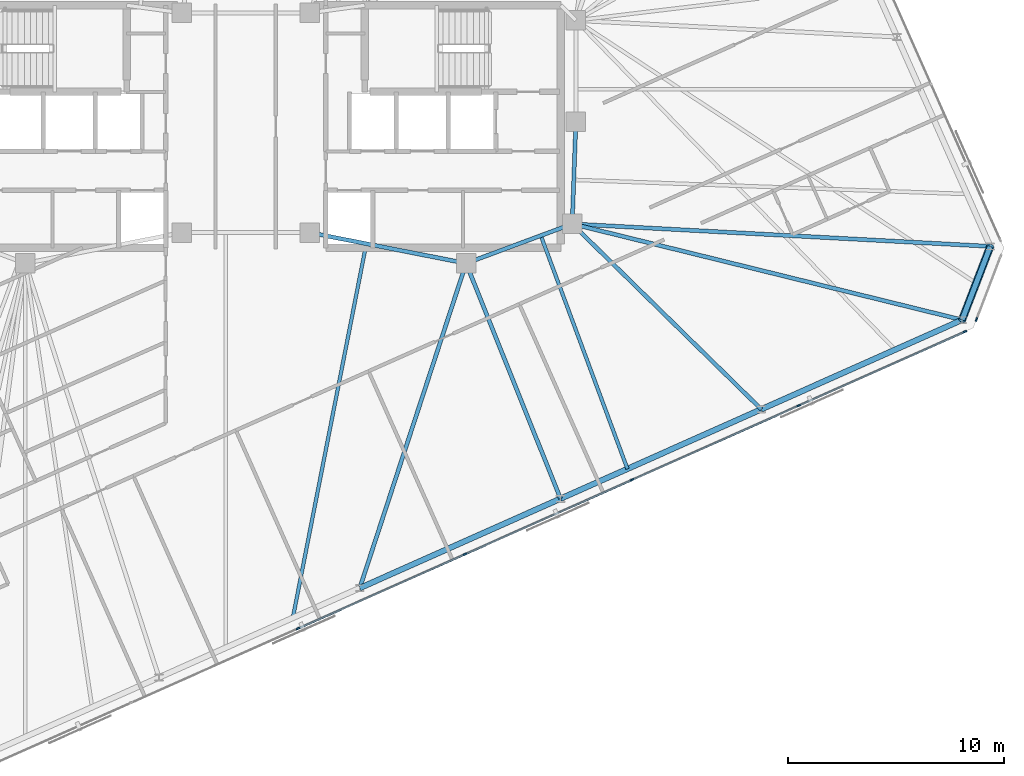
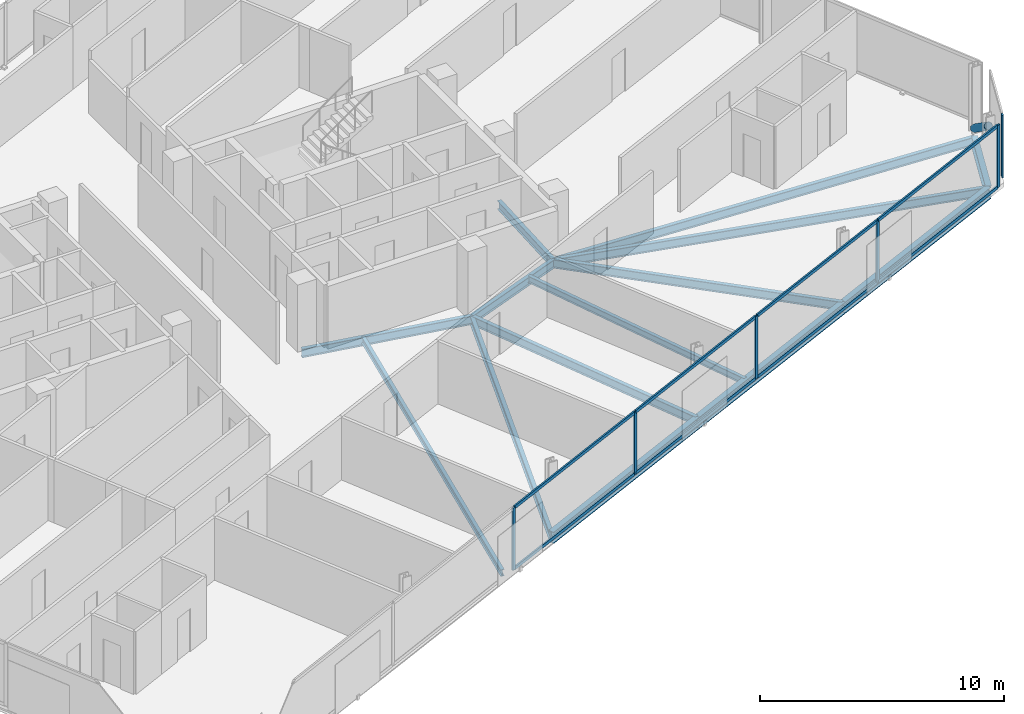
# One storey, part 7 of 19: 15 members, 14 beams, 2 elements without a shape of their own.
"""IFC4 building model written with IfcOpenShell, lengths in metres."""

from ifc_helpers import new_model, si_unit, direction, frame, origin, origin_2d, place, context, subcontext, project, spatial, rectangle, hollow_circle, i_section, extrude, material, material_profile, profile_set, type_object, element, aggregate, save


model = new_model("IFC4")

# Units and contexts
model_context = context("Model", 3, precision=1e-05, world=origin(), true_north=direction((0.0, 1.0)))
body_context = subcontext(model_context, "Body", "Model", "MODEL_VIEW")
ifc_project = project(units=[si_unit("LENGTHUNIT", "METRE"), si_unit("AREAUNIT", "SQUARE_METRE"), si_unit("VOLUMEUNIT", "CUBIC_METRE"), si_unit("PLANEANGLEUNIT", "RADIAN"), si_unit("MASSUNIT", "GRAM", prefix="KILO")], contexts=[model_context])

# Site, building, storey
site_placement = place(None, origin())
site = spatial("IfcSite", under=ifc_project, at=site_placement, CompositionType="ELEMENT")
building_placement = place(site_placement, origin())
building = spatial("IfcBuilding", under=site, at=building_placement, Name="Menara Jurai Vektor", CompositionType="ELEMENT")
storey_placement = place(building_placement, frame((0.0, 0.0, 262.199951171875)))
storey = spatial("IfcBuildingStorey", under=building, at=storey_placement, Name="L70", CompositionType="ELEMENT", Elevation=262.199951171875)

# Curtain wall, members
ifc_material_1 = material(Name="Anodised Pale Aluminium & Low-E Double Glazing", Category="aluminium")
curtain_wall_type = type_object("IfcCurtainWallType", Name="CW-BLK5", PredefinedType="NOTDEFINED", material=ifc_material_1)
curtain_wall_1_placement = place(storey_placement, origin())
curtain_wall_1 = element("IfcCurtainWall", 1, at=curtain_wall_1_placement, inside=storey, type_object=curtain_wall_type, Name="Unitised Curtain Wall L70 F01", PredefinedType="NOTDEFINED")
ifc_material_2 = material(Name="Anodised Pale Aluminium Mullion", Category="aluminium")
ifc_material_profile_1 = material_profile(ifc_material_2, rectangle(XDim=0.074951171875, YDim=0.175048828125, at=origin_2d()), Name="ALU MUL 75x175")
ifc_profile_set_1 = profile_set([ifc_material_profile_1], Name="Anodised Pale Aluminium Mullion")
member_type_1 = type_object("IfcMemberType", Name="CW-BLK5-MUL", PredefinedType="MULLION", material=ifc_profile_set_1)
member_1_placement = place(storey_placement, frame((2.417724609375, -23.190185546875, 0.0), z_axis=(0.0, 0.0, 1.0), x_axis=(-0.406735498684, 0.913545967158, 0.0)))
member_1 = element("IfcMember", 2, at=member_1_placement, type_object=member_type_1, Name="CW-05 mullion 3", PredefinedType="MULLION", context=body_context, shape_type="SweptSolid", body=[
    extrude(rectangle(XDim=0.074951171875, YDim=0.175048828125, at=origin_2d()), origin(), (0.0, 0.0, 1.0), 3.125),
])
member_2_placement = place(storey_placement, frame((10.1279296875, -19.75732421875, 0.0), z_axis=(0.0, 0.0, 1.0), x_axis=(-0.406735498684, 0.913545967158, 0.0)))
member_2 = element("IfcMember", 3, at=member_2_placement, type_object=member_type_1, Name="CW-05 mullion 4", PredefinedType="MULLION", context=body_context, shape_type="SweptSolid", body=[
    extrude(rectangle(XDim=0.074951171875, YDim=0.175048828125, at=origin_2d()), origin(), (0.0, 0.0, 1.0), 3.125),
])
member_3_placement = place(storey_placement, frame((17.83837890625, -16.324462890625, 0.0), z_axis=(0.0, 0.0, 1.0), x_axis=(-0.406735498684, 0.913545967158, 0.0)))
member_3 = element("IfcMember", 4, at=member_3_placement, type_object=member_type_1, Name="CW-05 mullion 5", PredefinedType="MULLION", context=body_context, shape_type="SweptSolid", body=[
    extrude(rectangle(XDim=0.074951171875, YDim=0.175048828125, at=origin_2d()), origin(), (0.0, 0.0, 1.0), 3.125),
])
member_4_placement = place(storey_placement, frame((25.548583984375, -12.8916015625, 0.0), z_axis=(0.0, 0.0, 1.0), x_axis=(-0.406735498684, 0.913545967158, 0.0)))
member_4 = element("IfcMember", 5, at=member_4_placement, type_object=member_type_1, Name="CW-05 mullion 6", PredefinedType="MULLION", context=body_context, shape_type="SweptSolid", body=[
    extrude(rectangle(XDim=0.074951171875, YDim=0.175048828125, at=origin_2d()), origin(), (0.0, 0.0, 1.0), 3.125),
])
member_5_placement = place(storey_placement, frame((33.224853515625, -9.47412109375, 0.0), z_axis=(0.0, 0.0, 1.0), x_axis=(-0.406735498684, 0.913545967158, 0.0)))
member_5 = element("IfcMember", 6, at=member_5_placement, type_object=member_type_1, Name="CW-05 mullion 7", PredefinedType="MULLION", context=body_context, shape_type="SweptSolid", body=[
    extrude(rectangle(XDim=0.074951171875, YDim=0.175048828125, at=origin_2d()), origin(), (0.0, 0.0, 1.0), 3.125),
])

# Curtain wall, member
curtain_wall_2_placement = place(storey_placement, origin())
curtain_wall_2 = element("IfcCurtainWall", 7, at=curtain_wall_2_placement, inside=storey, type_object=curtain_wall_type, Name="Unitised Curtain Wall L70 F02", PredefinedType="NOTDEFINED")
member_6_placement = place(storey_placement, frame((33.755859375, -8.914306640625, 0.0), z_axis=(0.0, 0.0, 1.0), x_axis=(-0.933578193639, 0.358373766287, 0.0)))
member_6 = element("IfcMember", 8, at=member_6_placement, type_object=member_type_1, Name="CW-05 mullion 1", PredefinedType="MULLION", context=body_context, shape_type="SweptSolid", body=[
    extrude(rectangle(XDim=0.074951171875, YDim=0.175048828125, at=origin_2d()), origin(), (0.0, 0.0, 1.0), 3.125),
])
aggregate(curtain_wall_2, [member_6])

# Member
ifc_material_3 = material(Name="Anodised Pale Aluminium Transom", Category="aluminium")
ifc_material_profile_2 = material_profile(ifc_material_3, rectangle(XDim=0.074951171875, YDim=0.155029296875, at=origin_2d()), Name="ALU TRN 75x155")
ifc_profile_set_2 = profile_set([ifc_material_profile_2], Name="Anodised Pale Aluminium Transom")
member_type_2 = type_object("IfcMemberType", Name="CW-BLK5-TRN", PredefinedType="USERDEFINED", material=ifc_profile_set_2)
member_7_placement = place(storey_placement, frame((2.451904296875, -23.175048828125, 0.03759765625), z_axis=(0.913546575494, 0.406734132331, 0.0), x_axis=(-0.406734132331, 0.913546575494, 0.0)))
member_7 = element("IfcMember", 9, at=member_7_placement, type_object=member_type_2, Name="CW-05 transom 3.1", ObjectType="TRANSOM", PredefinedType="USERDEFINED", context=body_context, shape_type="SweptSolid", body=[
    extrude(rectangle(XDim=0.074951171875, YDim=0.155029296875, at=origin_2d()), origin(), (0.0, 0.0, 1.0), 8.364990234375),
])

member_8_placement = place(storey_placement, frame((2.451904296875, -23.175048828125, 3.087646484375), z_axis=(0.913546575494, 0.406734132331, 0.0), x_axis=(-0.406734132331, 0.913546575494, 0.0)))
member_8 = element("IfcMember", 10, at=member_8_placement, type_object=member_type_2, Name="CW-05 transom 3.2", ObjectType="TRANSOM", PredefinedType="USERDEFINED", context=body_context, shape_type="SweptSolid", body=[
    extrude(rectangle(XDim=0.074951171875, YDim=0.155029296875, at=origin_2d()), origin(), (0.0, 0.0, 1.0), 8.364990234375),
])

member_9_placement = place(storey_placement, frame((10.162353515625, -19.7421875, 0.03759765625), z_axis=(0.913541747007, 0.406744977198, 0.0), x_axis=(-0.406744977198, 0.913541747007, 0.0)))
member_9 = element("IfcMember", 11, at=member_9_placement, type_object=member_type_2, Name="CW-05 transom 4.1", ObjectType="TRANSOM", PredefinedType="USERDEFINED", context=body_context, shape_type="SweptSolid", body=[
    extrude(rectangle(XDim=0.074951171875, YDim=0.155029296875, at=origin_2d()), origin(), (0.0, 0.0, 1.0), 8.36474609375),
])

member_10_placement = place(storey_placement, frame((10.162353515625, -19.7421875, 3.087646484375), z_axis=(0.913541747007, 0.406744977198, 0.0), x_axis=(-0.406744977198, 0.913541747007, 0.0)))
member_10 = element("IfcMember", 12, at=member_10_placement, type_object=member_type_2, Name="CW-05 transom 4.2", ObjectType="TRANSOM", PredefinedType="USERDEFINED", context=body_context, shape_type="SweptSolid", body=[
    extrude(rectangle(XDim=0.074951171875, YDim=0.155029296875, at=origin_2d()), origin(), (0.0, 0.0, 1.0), 8.36474609375),
])

member_11_placement = place(storey_placement, frame((17.87255859375, -16.309326171875, 0.03759765625), z_axis=(0.913546575494, 0.406734132331, 0.0), x_axis=(-0.406734132331, 0.913546575494, 0.0)))
member_11 = element("IfcMember", 13, at=member_11_placement, type_object=member_type_2, Name="CW-05 transom 5.1", ObjectType="TRANSOM", PredefinedType="USERDEFINED", context=body_context, shape_type="SweptSolid", body=[
    extrude(rectangle(XDim=0.074951171875, YDim=0.155029296875, at=origin_2d()), origin(), (0.0, 0.0, 1.0), 8.364990234375),
])

member_12_placement = place(storey_placement, frame((17.87255859375, -16.309326171875, 3.087646484375), z_axis=(0.913546575494, 0.406734132331, 0.0), x_axis=(-0.406734132331, 0.913546575494, 0.0)))
member_12 = element("IfcMember", 14, at=member_12_placement, type_object=member_type_2, Name="CW-05 transom 5.2", ObjectType="TRANSOM", PredefinedType="USERDEFINED", context=body_context, shape_type="SweptSolid", body=[
    extrude(rectangle(XDim=0.074951171875, YDim=0.155029296875, at=origin_2d()), origin(), (0.0, 0.0, 1.0), 8.364990234375),
])

member_13_placement = place(storey_placement, frame((25.5830078125, -12.87646484375, 0.03759765625), z_axis=(0.91353811338, 0.406753138159, 0.0), x_axis=(-0.406753138159, 0.91353811338, 0.0)))
member_13 = element("IfcMember", 15, at=member_13_placement, type_object=member_type_2, Name="CW-05 transom 6.1", ObjectType="TRANSOM", PredefinedType="USERDEFINED", context=body_context, shape_type="SweptSolid", body=[
    extrude(rectangle(XDim=0.074951171875, YDim=0.155029296875, at=origin_2d()), origin(), (0.0, 0.0, 1.0), 8.327392578125),
])

member_14_placement = place(storey_placement, frame((25.5830078125, -12.87646484375, 3.087646484375), z_axis=(0.91353811338, 0.406753138159, 0.0), x_axis=(-0.406753138159, 0.91353811338, 0.0)))
member_14 = element("IfcMember", 16, at=member_14_placement, type_object=member_type_2, Name="CW-05 transom 6.2", ObjectType="TRANSOM", PredefinedType="USERDEFINED", context=body_context, shape_type="SweptSolid", body=[
    extrude(rectangle(XDim=0.074951171875, YDim=0.155029296875, at=origin_2d()), origin(), (0.0, 0.0, 1.0), 8.327392578125),
])

aggregate(curtain_wall_1, [member_1, member_2, member_3, member_4, member_5, member_7, member_8, member_9, member_10, member_11, member_12, member_13, member_14])

# Beams
ifc_material_4 = material(Name="Steel S355", Category="steel")
ifc_material_profile_3 = material_profile(ifc_material_4, i_section(OverallWidth=0.18505859375, OverallDepth=0.429931640625, WebThickness=0.010986328125, FlangeThickness=0.01806640625, at=origin_2d()), Name="PG 430x185x76")
ifc_profile_set_3 = profile_set([ifc_material_profile_3], Name="Steel S355")
beam_type_1 = type_object("IfcBeamType", Name="STR-BM-430", PredefinedType="BEAM", material=ifc_profile_set_3)
beam_1_placement = place(storey_placement, frame((15.080078125, -4.5, -0.43994140625), z_axis=(0.035977314146, 0.999352606874, 0.0), x_axis=(-0.999352606874, 0.035977314146, 0.0)))
element("IfcBeam", 17, at=beam_1_placement, inside=storey, type_object=beam_type_1, Name="Core Ring Header Girder L70-CHE-E2", PredefinedType="BEAM", context=body_context, shape_type="SweptSolid", body=[
    extrude(i_section(OverallWidth=0.18505859375, OverallDepth=0.429931640625, WebThickness=0.010986328125, FlangeThickness=0.01806640625, at=origin_2d()), origin(), (0.0, 0.0, 1.0), 4.72314453125),
])
beam_2_placement = place(storey_placement, frame((10.179931640625, -6.320068359375, -0.43994140625), z_axis=(0.937424400887, 0.348188874925, 0.0), x_axis=(-0.348188874925, 0.937424400887, 0.0)))
element("IfcBeam", 18, at=beam_2_placement, inside=storey, type_object=beam_type_1, Name="Core Ring Header Girder L70-CHE-S1", PredefinedType="BEAM", context=body_context, shape_type="SweptSolid", body=[
    extrude(i_section(OverallWidth=0.18505859375, OverallDepth=0.429931640625, WebThickness=0.010986328125, FlangeThickness=0.01806640625, at=origin_2d()), origin(), (0.0, 0.0, 1.0), 5.227294921875),
])
beam_3_placement = place(storey_placement, frame((2.949951171875, -4.89990234375, -0.43994140625), z_axis=(0.981249044334, -0.192744164614, 0.0), x_axis=(0.192744164614, 0.981249044334, 0.0)))
element("IfcBeam", 19, at=beam_3_placement, inside=storey, type_object=beam_type_1, Name="Core Ring Header Girder L70-CHE-S2", PredefinedType="BEAM", context=body_context, shape_type="SweptSolid", body=[
    extrude(i_section(OverallWidth=0.18505859375, OverallDepth=0.429931640625, WebThickness=0.010986328125, FlangeThickness=0.01806640625, at=origin_2d()), origin(), (0.0, 0.0, 1.0), 7.3681640625),
])
beam_4_placement = place(storey_placement, frame((5.267578125, -21.3193359375, -0.43994140625), z_axis=(0.311239486704, 0.950331511587, 0.0), x_axis=(-0.950331511587, 0.311239486704, 0.0)))
element("IfcBeam", 20, at=beam_4_placement, inside=storey, type_object=beam_type_1, Name="Radial Floor Girder L70-S3", PredefinedType="BEAM", context=body_context, shape_type="SweptSolid", body=[
    extrude(i_section(OverallWidth=0.18505859375, OverallDepth=0.429931640625, WebThickness=0.010986328125, FlangeThickness=0.01806640625, at=origin_2d()), origin(), (0.0, 0.0, 1.0), 15.783203125),
])
beam_5_placement = place(storey_placement, frame((14.541015625, -17.1904296875, -0.43994140625), z_axis=(-0.372342852726, 0.928095253745, 0.0), x_axis=(-0.928095253745, -0.372342852726, 0.0)))
element("IfcBeam", 21, at=beam_5_placement, inside=storey, type_object=beam_type_1, Name="Radial Floor Girder L70-S4", PredefinedType="BEAM", context=body_context, shape_type="SweptSolid", body=[
    extrude(i_section(OverallWidth=0.18505859375, OverallDepth=0.429931640625, WebThickness=0.010986328125, FlangeThickness=0.01806640625, at=origin_2d()), origin(), (0.0, 0.0, 1.0), 11.712646484375),
])
beam_6_placement = place(storey_placement, frame((23.814697265625, -13.061767578125, -0.43994140625), z_axis=(-0.714137598149, 0.70000535063, 0.0), x_axis=(-0.70000535063, -0.714137598149, 0.0)))
element("IfcBeam", 22, at=beam_6_placement, inside=storey, type_object=beam_type_1, Name="Radial Floor Girder L70-S5", PredefinedType="BEAM", context=body_context, shape_type="SweptSolid", body=[
    extrude(i_section(OverallWidth=0.18505859375, OverallDepth=0.429931640625, WebThickness=0.010986328125, FlangeThickness=0.01806640625, at=origin_2d()), origin(), (0.0, 0.0, 1.0), 12.23095703125),
])
beam_7_placement = place(storey_placement, frame((33.088134765625, -8.932861328125, -0.43994140625), z_axis=(-0.971013515776, 0.239024584888, 0.0), x_axis=(-0.239024584888, -0.971013515776, 0.0)))
element("IfcBeam", 23, at=beam_7_placement, inside=storey, type_object=beam_type_1, Name="Radial Floor Girder L70-S6", PredefinedType="BEAM", context=body_context, shape_type="SweptSolid", body=[
    extrude(i_section(OverallWidth=0.18505859375, OverallDepth=0.429931640625, WebThickness=0.010986328125, FlangeThickness=0.01806640625, at=origin_2d()), origin(), (0.0, 0.0, 1.0), 18.545654296875),
])
beam_8_placement = place(storey_placement, frame((34.3916015625, -5.536865234375, -0.43994140625), z_axis=(-0.998561718759, 0.053614306189, 0.0), x_axis=(-0.053614306189, -0.998561718759, 0.0)))
element("IfcBeam", 24, at=beam_8_placement, inside=storey, type_object=beam_type_1, Name="Radial Floor Girder L70-E1", PredefinedType="BEAM", context=body_context, shape_type="SweptSolid", body=[
    extrude(i_section(OverallWidth=0.18505859375, OverallDepth=0.429931640625, WebThickness=0.010986328125, FlangeThickness=0.01806640625, at=origin_2d()), origin(), (0.0, 0.0, 1.0), 19.33935546875),
])

# Member
ifc_material_5 = material(Name="Steel S460", Category="steel")
ifc_material_profile_4 = material_profile(ifc_material_5, hollow_circle(Radius=0.177734375, WallThickness=0.01611328125, at=origin_2d()), Name="CHS 355.6x16")
ifc_profile_set_4 = profile_set([ifc_material_profile_4], Name="Steel S460")
member_type_3 = type_object("IfcMemberType", Name="STR-BR-356", PredefinedType="BRACE", material=ifc_profile_set_4)
member_15_placement = place(storey_placement, frame((34.3916015625, -5.536865234375, 0.150146484375), z_axis=(-0.290575939475, -0.757054002265, 0.585179340931), x_axis=(0.933592747566, -0.358335850414, 0.0)))
element("IfcMember", 25, at=member_15_placement, inside=storey, type_object=member_type_3, Name="Exoskeleton Corner Brace L70-1", PredefinedType="BRACE", context=body_context, shape_type="SweptSolid", body=[
    extrude(hollow_circle(Radius=0.177734375, WallThickness=0.01611328125, at=origin_2d()), origin(), (0.0, 0.0, 1.0), 4.48583984375),
])

# Beams
ifc_material_profile_5 = material_profile(ifc_material_4, i_section(OverallWidth=0.1650390625, OverallDepth=0.330078125, WebThickness=0.009033203125, FlangeThickness=0.013916015625, at=origin_2d()), Name="PG 330x165x46")
ifc_profile_set_5 = profile_set([ifc_material_profile_5], Name="Steel S355")
beam_type_2 = type_object("IfcBeamType", Name="STR-JS-330", PredefinedType="JOIST", material=ifc_profile_set_5)
beam_9_placement = place(storey_placement, frame((2.176513671875, -22.695556640625, -0.389892578125), z_axis=(0.192710503651, 0.981255655669, 0.0), x_axis=(-0.981255655669, 0.192710503651, 0.0)))
element("IfcBeam", 26, at=beam_9_placement, inside=storey, type_object=beam_type_2, Name="Radial Secondary Floor Joist L70-JS04", PredefinedType="JOIST", context=body_context, shape_type="SweptSolid", body=[
    extrude(i_section(OverallWidth=0.1650390625, OverallDepth=0.330078125, WebThickness=0.009033203125, FlangeThickness=0.013916015625, at=origin_2d()), origin(), (0.0, 0.0, 1.0), 17.61083984375),
])
beam_10_placement = place(storey_placement, frame((17.632080078125, -15.814208984375, -0.389892578125), z_axis=(-0.348172664726, 0.937430421705, 0.0), x_axis=(-0.937430421705, -0.348172664726, 0.0)))
element("IfcBeam", 27, at=beam_10_placement, inside=storey, type_object=beam_type_2, Name="Radial Secondary Floor Joist L70-JS05", PredefinedType="JOIST", context=body_context, shape_type="SweptSolid", body=[
    extrude(i_section(OverallWidth=0.1650390625, OverallDepth=0.330078125, WebThickness=0.009033203125, FlangeThickness=0.013916015625, at=origin_2d()), origin(), (0.0, 0.0, 1.0), 11.494873046875),
])
ifc_material_profile_6 = material_profile(ifc_material_4, i_section(OverallWidth=0.260009765625, OverallDepth=0.570068359375, WebThickness=0.013916015625, FlangeThickness=0.02392578125, at=origin_2d()), Name="PG 570x260x145")
ifc_profile_set_6 = profile_set([ifc_material_profile_6], Name="Steel S355")
beam_type_3 = type_object("IfcBeamType", Name="STR-SP-570", PredefinedType="SPANDREL", material=ifc_profile_set_6)
for number, where, z_axis, x_axis, name in (
    (28, (5.267578125, -21.3193359375, -0.510009765625), (0.913541582548, 0.406745346568, 0.0), (-0.406745346568, 0.913541582548, 0.0), "Exoskeleton Spandrel Beam L70-03"),
    (29, (14.541015625, -17.1904296875, -0.510009765625), (0.913554497648, 0.406716338284, 0.0), (-0.406716338284, 0.913554497648, 0.0), "Exoskeleton Spandrel Beam L70-04"),
    (30, (23.814697265625, -13.061767578125, -0.510009765625), (0.913541582548, 0.406745346568, 0.0), (-0.406745346568, 0.913541582548, 0.0), "Exoskeleton Spandrel Beam L70-05"),
):
    element("IfcBeam", number, at=place(storey_placement, frame(where, z_axis=z_axis, x_axis=x_axis)), inside=storey, type_object=beam_type_3, Name=name, PredefinedType="SPANDREL", context=body_context, shape_type="SweptSolid", body=[
        extrude(i_section(OverallWidth=0.260009765625, OverallDepth=0.570068359375, WebThickness=0.013916015625, FlangeThickness=0.02392578125, at=origin_2d()), origin(), (0.0, 0.0, 1.0), 10.151123046875),
    ])
beam_11_placement = place(storey_placement, frame((33.088134765625, -8.932861328125, -0.510009765625), z_axis=(0.358335850414, 0.933592747566, 0.0), x_axis=(-0.933592747566, 0.358335850414, 0.0)))
element("IfcBeam", 31, at=beam_11_placement, inside=storey, type_object=beam_type_3, Name="Exoskeleton Spandrel Beam L70-06", PredefinedType="SPANDREL", context=body_context, shape_type="SweptSolid", body=[
    extrude(i_section(OverallWidth=0.260009765625, OverallDepth=0.570068359375, WebThickness=0.013916015625, FlangeThickness=0.02392578125, at=origin_2d()), origin(), (0.0, 0.0, 1.0), 3.637451171875),
])

save(model, "model.ifc")
